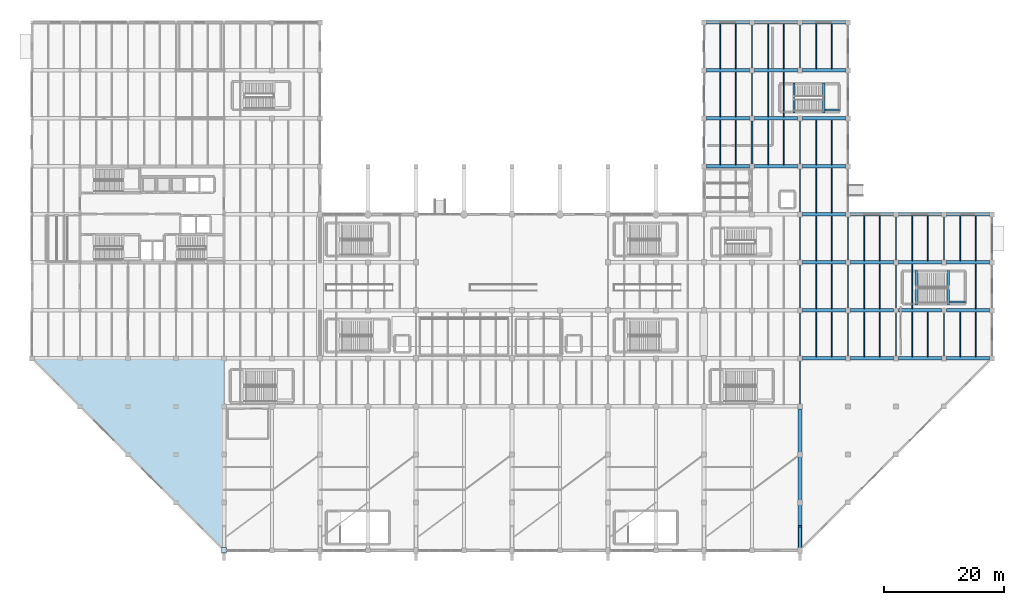
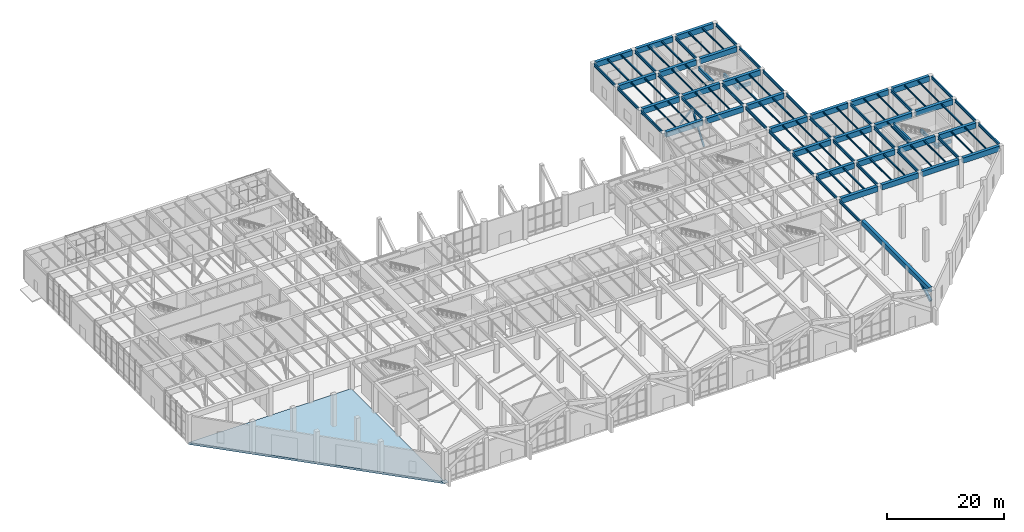
# One storey, part 25 of 51: 103 beams, 3 members, 1 plate, 1 slab.
"""IFC4 building model written with IfcOpenShell, lengths in metres."""

import ifcopenshell
import ifcopenshell.guid

model = None  # the IFC model being written
_history = None  # IfcOwnerHistory: only IFC2X3 demands one
_inside = {}  # id of a spatial element -> (the spatial element, [elements in it])
_under = {}  # id of a project, library or spatial element -> (it, [spatial elements below it])
_declared = {}  # id of a project -> (the project, [libraries it declares])
_typed = {}  # id of a type object -> (the type object, [elements of that type])
_made_of = {}  # id of a material, layer set ... -> (it, [elements and type objects made of it])


def new_model(schema):
    """Start an empty IFC model of exactly this schema.

    Asked for "IFC4X3", IfcOpenShell would pick the latest addendum, in which some entities
    have other attributes; the version numbers below select the first issue.
    IFC2X3 requires an IfcOwnerHistory on every rooted entity: one is made here for all.
    """
    global model, _history
    if schema == "IFC4X3":
        model = ifcopenshell.file(schema_version=(4, 3, 0, 0))
    else:
        model = ifcopenshell.file(schema=schema)
    _inside.clear()
    _under.clear()
    _declared.clear()
    _typed.clear()
    _made_of.clear()
    _history = None
    if model.schema == "IFC2X3":
        org = make("IfcOrganization", Name="unknown")
        user = make(
            "IfcPersonAndOrganization",
            ThePerson=make("IfcPerson", FamilyName="unknown"),
            TheOrganization=org,
        )
        app = make(
            "IfcApplication",
            ApplicationDeveloper=org,
            Version="unknown",
            ApplicationFullName="unknown",
            ApplicationIdentifier="unknown",
        )
        _history = make(
            "IfcOwnerHistory",
            OwningUser=user,
            OwningApplication=app,
            ChangeAction="ADDED",
            CreationDate=0,
        )
    return model


def make(cls, **values):
    """One entity of the class cls with the attributes given. An attribute that is None is left unset."""
    return model.create_entity(
        cls, **{name: value for name, value in values.items() if value is not None}
    )


def rooted(cls, **values):
    """An entity with a GlobalId (a new one), such as an element, a storey or a relation."""
    return make(cls, GlobalId=ifcopenshell.guid.new(), OwnerHistory=_history, **values)


def si_unit(unit_type, name, prefix=None):
    """IfcSIUnit, for example si_unit("LENGTHUNIT", "METRE", prefix="MILLI")."""
    return make("IfcSIUnit", UnitType=unit_type, Prefix=prefix, Name=name)


def assignment(units):
    """IfcUnitAssignment: the units of a project."""
    return None if units is None else make("IfcUnitAssignment", Units=units)


def point(xyz):
    """IfcCartesianPoint."""
    return None if xyz is None else make("IfcCartesianPoint", Coordinates=xyz)


def direction(xyz):
    """IfcDirection."""
    return None if xyz is None else make("IfcDirection", DirectionRatios=xyz)


def frame(location, z_axis=None, x_axis=None):
    """IfcAxis2Placement3D, a coordinate frame: its origin and axes. An axis left out is left unset."""
    return make(
        "IfcAxis2Placement3D",
        Location=point(location),
        Axis=direction(z_axis),
        RefDirection=direction(x_axis),
    )


def frame_2d(location, x_axis=None):
    """IfcAxis2Placement2D, a coordinate frame in the plane: its origin and x axis."""
    return make(
        "IfcAxis2Placement2D", Location=point(location), RefDirection=direction(x_axis)
    )


def origin():
    """The frame at (0, 0, 0) with its axes left unset."""
    return frame((0.0, 0.0, 0.0))


def origin_2d():
    """The frame at (0, 0) in the plane with its x axis left unset."""
    return frame_2d((0.0, 0.0))


def place(relative_to, where):
    """IfcLocalPlacement: puts the frame where relative to a parent placement (None: the world)."""
    return make(
        "IfcLocalPlacement", PlacementRelTo=relative_to, RelativePlacement=where
    )


def context(
    kind, dimensions, precision=None, world=None, true_north=None, identifier=None
):
    """IfcGeometricRepresentationContext, for example the 3D "Model" context."""
    return make(
        "IfcGeometricRepresentationContext",
        ContextIdentifier=identifier,
        ContextType=kind,
        CoordinateSpaceDimension=dimensions,
        Precision=precision,
        WorldCoordinateSystem=world,
        TrueNorth=true_north,
    )


def subcontext(parent, identifier, kind, view, scale=None):
    """IfcGeometricRepresentationSubContext, for example "Body" below "Model"."""
    return make(
        "IfcGeometricRepresentationSubContext",
        ContextIdentifier=identifier,
        ContextType=kind,
        ParentContext=parent,
        TargetScale=scale,
        TargetView=view,
    )


def project(units=None, contexts=None):
    """IfcProject with its units and contexts."""
    return rooted(
        "IfcProject",
        Name="project",
        RepresentationContexts=contexts,
        UnitsInContext=assignment(units),
    )


def spatial(cls, under=None, at=None, **own):
    """A site, building, storey or space (cls), placed at a placement, below another one or the project."""
    s = rooted(cls, ObjectPlacement=at, **own)
    if under is not None:
        _under.setdefault(under.id(), (under, []))[1].append(s)
    return s


def polyline(points):
    """IfcPolyline through the points."""
    return make("IfcPolyline", Points=[point(p) for p in points])


def profile(cls, at=None, kind="AREA", **sizes):
    """A parametric profile (cls). Its sizes go by their IFC names, for example OverallWidth=200.0."""
    return make(cls, ProfileType=kind, Position=at, **sizes)


def rectangle(**sizes):
    """IfcRectangleProfileDef."""
    return profile("IfcRectangleProfileDef", **sizes)


def hollow_rectangle(**sizes):
    """IfcRectangleHollowProfileDef."""
    return profile("IfcRectangleHollowProfileDef", **sizes)


def i_section(**sizes):
    """IfcIShapeProfileDef."""
    return profile("IfcIShapeProfileDef", **sizes)


def outline(outer, holes=None, kind="AREA"):
    """IfcArbitraryClosedProfileDef: a profile drawn as a closed curve; with holes, ...WithVoids."""
    if holes is None:
        return make("IfcArbitraryClosedProfileDef", ProfileType=kind, OuterCurve=outer)
    return make(
        "IfcArbitraryProfileDefWithVoids",
        ProfileType=kind,
        OuterCurve=outer,
        InnerCurves=holes,
    )


def extrude(swept, where, along, depth):
    """IfcExtrudedAreaSolid: the profile swept, set in the frame where, extruded along a direction by depth."""
    return make(
        "IfcExtrudedAreaSolid",
        SweptArea=swept,
        Position=where,
        ExtrudedDirection=direction(along),
        Depth=depth,
    )


def shape(context_of_items, identifier, shape_type, items):
    """IfcShapeRepresentation: the items that make up one representation, for example the "Body"."""
    return make(
        "IfcShapeRepresentation",
        ContextOfItems=context_of_items,
        RepresentationIdentifier=identifier,
        RepresentationType=shape_type,
        Items=items,
    )


def material(Name=None, Category=None):
    """IfcMaterial."""
    return make("IfcMaterial", Name=Name, Category=Category)


def layer(
    of_material, thickness, ventilated=None, Name=None, Category=None, Priority=None
):
    """IfcMaterialLayer: one layer of a wall or slab, of a material (None: an air gap)."""
    return make(
        "IfcMaterialLayer",
        Material=of_material,
        LayerThickness=thickness,
        IsVentilated=ventilated,
        Name=Name,
        Category=Category,
        Priority=Priority,
    )


def layer_set(layers, Name=None):
    """IfcMaterialLayerSet."""
    return make("IfcMaterialLayerSet", MaterialLayers=layers, LayerSetName=Name)


def material_profile(
    of_material, cross_section, Name=None, Category=None, Priority=None
):
    """IfcMaterialProfile: a cross section and its material."""
    return make(
        "IfcMaterialProfile",
        Name=Name,
        Material=of_material,
        Profile=cross_section,
        Priority=Priority,
        Category=Category,
    )


def profile_set(profiles, Name=None, composite=None):
    """IfcMaterialProfileSet."""
    return make(
        "IfcMaterialProfileSet",
        Name=Name,
        MaterialProfiles=profiles,
        CompositeProfile=composite,
    )


def made_of(thing, what):
    """Note that an element or type object is made of a material, layer set ...; save() writes the relation."""
    if what is not None:
        _made_of.setdefault(what.id(), (what, []))[1].append(thing)
    return thing


def type_object(cls, material=None, **own):
    """A type object (cls), such as IfcWallType, which elements share."""
    return made_of(rooted(cls, **own), material)


def element(
    cls,
    number,
    at=None,
    inside=None,
    cuts=None,
    type_object=None,
    material=None,
    context=None,
    identifier="Body",
    shape_type=None,
    held_by="IfcProductDefinitionShape",
    body=None,
    shapes=None,
    **own,
):
    """One element of the class cls, such as IfcWall. Its Tag is "e" and its number.

    at: its placement. inside: the storey or other place that contains it. cuts: it is an
    opening in that element (IfcRelVoidsElement). A single representation is given by context,
    identifier, shape_type and body (its items); several are given by shapes. held_by: the class
    of the entity that holds the representations. save() writes the other relations.
    """
    e = rooted(cls, Tag="e%d" % number, ObjectPlacement=at, **own)
    if body is not None:
        shapes = [shape(context, identifier, shape_type, body)]
    if shapes is not None:
        e.Representation = make(held_by, Representations=shapes)
    if inside is not None:
        _inside.setdefault(inside.id(), (inside, []))[1].append(e)
    if cuts is not None:
        rooted(
            "IfcRelVoidsElement", RelatingBuildingElement=cuts, RelatedOpeningElement=e
        )
    if type_object is not None:
        _typed.setdefault(type_object.id(), (type_object, []))[1].append(e)
    return made_of(e, material)


def aggregate(whole, parts):
    """IfcRelAggregates: a whole, such as a stair, and the parts it consists of."""
    return rooted("IfcRelAggregates", RelatingObject=whole, RelatedObjects=parts)


def save(model, path):
    """Write the relations noted so far, then the file.

    IfcRelAggregates (storeys below a building ...), IfcRelContainedInSpatialStructure (elements
    in a storey), IfcRelDefinesByType, IfcRelAssociatesMaterial and IfcRelDeclares: one each for
    every whole, place, type object, material and project.
    """
    for whole, parts in _under.values():
        aggregate(whole, parts)
    for where, things in _inside.values():
        rooted(
            "IfcRelContainedInSpatialStructure",
            RelatedElements=things,
            RelatingStructure=where,
        )
    for kind, things in _typed.values():
        rooted("IfcRelDefinesByType", RelatedObjects=things, RelatingType=kind)
    for what, things in _made_of.values():
        rooted("IfcRelAssociatesMaterial", RelatedObjects=things, RelatingMaterial=what)
    for by, libraries in _declared.values():
        rooted("IfcRelDeclares", RelatingContext=by, RelatedDefinitions=libraries)
    model.write(path)


model = new_model("IFC4")

# Units and contexts
model_context = context("Model", 3, precision=1e-05, world=origin(), true_north=direction((0.0, 1.0)))
body_context = subcontext(model_context, "Body", "Model", "MODEL_VIEW")
ifc_project = project(units=[si_unit("LENGTHUNIT", "METRE"), si_unit("AREAUNIT", "SQUARE_METRE"), si_unit("VOLUMEUNIT", "CUBIC_METRE"), si_unit("PLANEANGLEUNIT", "RADIAN"), si_unit("MASSUNIT", "GRAM", prefix="KILO")], contexts=[model_context])

# Site, building, storey
site_placement = place(None, origin())
site = spatial("IfcSite", under=ifc_project, at=site_placement, CompositionType="ELEMENT")
building_placement = place(site_placement, origin())
building = spatial("IfcBuilding", under=site, at=building_placement, Name="Varnela Railside Interchange", CompositionType="ELEMENT")
storey_placement = place(building_placement, origin())
storey = spatial("IfcBuildingStorey", under=building, at=storey_placement, Name="L00", CompositionType="ELEMENT", Elevation=0.0)

# Beams
ifc_material_1 = material(Name="Concrete C40", Category="concrete")
ifc_material_profile_1 = material_profile(ifc_material_1, rectangle(XDim=0.60009765625, YDim=1.0, at=origin_2d()), Name="RC 600x1000")
ifc_profile_set_1 = profile_set([ifc_material_profile_1], Name="Concrete C40")
beam_type_1 = type_object("IfcBeamType", Name="Canopy Valley Girder B-05", PredefinedType="BEAM", material=ifc_profile_set_1)
beam_1_placement = place(storey_placement, frame((132.0, 6.5, 6.10009765625), z_axis=(0.0, 1.0, 0.0), x_axis=(-1.0, 0.0, 0.0)))
element("IfcBeam", 1, at=beam_1_placement, inside=storey, type_object=beam_type_1, Name="Canopy Valley Girder B-05 (L00) (BM-1416)", PredefinedType="BEAM", context=body_context, shape_type="SweptSolid", body=[
    extrude(rectangle(XDim=0.60009765625, YDim=1.0, at=origin_2d()), origin(), (0.0, 0.0, 1.0), 23.10009765625),
])
ifc_material_2 = material(Name="Steel AR 350 (350 MPa)", Category="steel")
ifc_material_profile_2 = material_profile(ifc_material_2, i_section(OverallWidth=0.1669921875, OverallDepth=0.31689453125, WebThickness=0.007568359375, FlangeThickness=0.01318359375, at=origin_2d()), Name="W310x52")
ifc_profile_set_2 = profile_set([ifc_material_profile_2], Name="Steel AR 350 (350 MPa)")
beam_type_2 = type_object("IfcBeamType", Name="Composite Long-Span Joist J-03", PredefinedType="JOIST", material=ifc_profile_set_2)
for number, where, z_axis, x_axis, name in (
    (2, (118.669921875, 70.300048828125, 5.861572265625), (0.0, 1.0, 0.0), (-1.0, 0.0, 0.0), "Composite Long-Span Joist J-03 (L00) (BM-1067)"),
    (3, (121.330078125, 70.300048828125, 5.861572265625), (0.0, 1.0, 0.0), (-1.0, 0.0, 0.0), "Composite Long-Span Joist J-03 (L00) (BM-1068)"),
    (4, (118.669921875, 78.300048828125, 5.861572265625), (0.0, 1.0, 0.0), (-1.0, 0.0, 0.0), "Composite Long-Span Joist J-03 (L00) (BM-1069)"),
    (5, (121.330078125, 78.300048828125, 5.861572265625), (0.0, 1.0, 0.0), (-1.0, 0.0, 0.0), "Composite Long-Span Joist J-03 (L00) (BM-1070)"),
    (6, (118.669921875, 86.300048828125, 5.861572265625), (0.0, 1.0, 0.0), (-1.0, 0.0, 0.0), "Composite Long-Span Joist J-03 (L00) (BM-1057)"),
    (7, (121.330078125, 86.300048828125, 5.861572265625), (0.0, 1.0, 0.0), (-1.0, 0.0, 0.0), "Composite Long-Span Joist J-03 (L00) (BM-1058)"),
    (8, (126.669921875, 70.300048828125, 5.861572265625), (0.0, 1.0, 0.0), (-1.0, 0.0, 0.0), "Composite Long-Span Joist J-03 (L00) (BM-1080)"),
    (9, (129.330078125, 70.300048828125, 5.861572265625), (0.0, 1.0, 0.0), (-1.0, 0.0, 0.0), "Composite Long-Span Joist J-03 (L00) (BM-1081)"),
    (10, (126.669921875, 78.300048828125, 5.861572265625), (0.0, 1.0, 0.0), (-1.0, 0.0, 0.0), "Composite Long-Span Joist J-03 (L00) (BM-1082)"),
    (11, (129.330078125, 78.300048828125, 5.861572265625), (0.0, 1.0, 0.0), (-1.0, 0.0, 0.0), "Composite Long-Span Joist J-03 (L00) (BM-1083)"),
    (12, (126.669921875, 86.300048828125, 5.861572265625), (0.0, 1.0, 0.0), (-1.0, 0.0, 0.0), "Composite Long-Span Joist J-03 (L00) (BM-1071)"),
    (13, (129.330078125, 86.300048828125, 5.861572265625), (0.0, 1.0, 0.0), (-1.0, 0.0, 0.0), "Composite Long-Span Joist J-03 (L00) (BM-1072)"),
    (14, (134.669921875, 38.300048828125, 5.861572265625), (0.0, 1.0, 0.0), (-1.0, 0.0, 0.0), "Composite Long-Span Joist J-03 (L00) (BM-1086)"),
    (15, (137.330078125, 38.300048828125, 5.861572265625), (0.0, 1.0, 0.0), (-1.0, 0.0, 0.0), "Composite Long-Span Joist J-03 (L00) (BM-1087)"),
    (16, (134.669921875, 46.300048828125, 5.861572265625), (0.0, 1.0, 0.0), (-1.0, 0.0, 0.0), "Composite Long-Span Joist J-03 (L00) (BM-1088)"),
    (17, (137.330078125, 46.300048828125, 5.861572265625), (0.0, 1.0, 0.0), (-1.0, 0.0, 0.0), "Composite Long-Span Joist J-03 (L00) (BM-1089)"),
    (18, (134.669921875, 54.300048828125, 5.861572265625), (0.0, 1.0, 0.0), (-1.0, 0.0, 0.0), "Composite Long-Span Joist J-03 (L00) (BM-1090)"),
    (19, (137.330078125, 54.300048828125, 5.861572265625), (0.0, 1.0, 0.0), (-1.0, 0.0, 0.0), "Composite Long-Span Joist J-03 (L00) (BM-1091)"),
    (20, (134.669921875, 62.300048828125, 5.861572265625), (0.0, 1.0, 0.0), (-1.0, 0.0, 0.0), "Composite Long-Span Joist J-03 (L00) (BM-1092)"),
    (21, (137.330078125, 62.300048828125, 5.861572265625), (0.0, 1.0, 0.0), (-1.0, 0.0, 0.0), "Composite Long-Span Joist J-03 (L00) (BM-1093)"),
    (22, (134.669921875, 70.300048828125, 5.861572265625), (0.0, 1.0, 0.0), (-1.0, 0.0, 0.0), "Composite Long-Span Joist J-03 (L00) (BM-1094)"),
    (23, (137.330078125, 70.300048828125, 5.861572265625), (0.0, 1.0, 0.0), (-1.0, 0.0, 0.0), "Composite Long-Span Joist J-03 (L00) (BM-1095)"),
    (24, (134.669921875, 86.300048828125, 5.861572265625), (0.0, 1.0, 0.0), (-1.0, 0.0, 0.0), "Composite Long-Span Joist J-03 (L00) (BM-1084)"),
    (25, (137.330078125, 86.300048828125, 5.861572265625), (0.0, 1.0, 0.0), (-1.0, 0.0, 0.0), "Composite Long-Span Joist J-03 (L00) (BM-1085)"),
    (26, (142.669921875, 38.300048828125, 5.861572265625), (0.0, 1.0, 0.0), (-1.0, 0.0, 0.0), "Composite Long-Span Joist J-03 (L00) (BM-1096)"),
    (27, (145.330078125, 38.300048828125, 5.861572265625), (0.0, 1.0, 0.0), (-1.0, 0.0, 0.0), "Composite Long-Span Joist J-03 (L00) (BM-1097)"),
    (28, (142.669921875, 46.300048828125, 5.861572265625), (0.0, 1.0, 0.0), (-1.0, 0.0, 0.0), "Composite Long-Span Joist J-03 (L00) (BM-1098)"),
    (29, (145.330078125, 46.300048828125, 5.861572265625), (0.0, 1.0, 0.0), (-1.0, 0.0, 0.0), "Composite Long-Span Joist J-03 (L00) (BM-1099)"),
    (30, (142.669921875, 54.300048828125, 5.861572265625), (0.0, 1.0, 0.0), (-1.0, 0.0, 0.0), "Composite Long-Span Joist J-03 (L00) (BM-1100)"),
    (31, (145.330078125, 54.300048828125, 5.861572265625), (0.0, 1.0, 0.0), (-1.0, 0.0, 0.0), "Composite Long-Span Joist J-03 (L00) (BM-1101)"),
    (32, (150.669921875, 38.300048828125, 5.861572265625), (0.0, 1.0, 0.0), (-1.0, 0.0, 0.0), "Composite Long-Span Joist J-03 (L00) (BM-1102)"),
    (33, (153.330078125, 38.300048828125, 5.861572265625), (0.0, 1.0, 0.0), (-1.0, 0.0, 0.0), "Composite Long-Span Joist J-03 (L00) (BM-1103)"),
    (34, (150.669921875, 46.300048828125, 5.861572265625), (0.0, 1.0, 0.0), (-1.0, 0.0, 0.0), "Composite Long-Span Joist J-03 (L00) (BM-1104)"),
    (35, (150.669921875, 54.300048828125, 5.861572265625), (0.0, 1.0, 0.0), (-1.0, 0.0, 0.0), "Composite Long-Span Joist J-03 (L00) (BM-1105)"),
    (36, (153.330078125, 54.300048828125, 5.861572265625), (0.0, 1.0, 0.0), (-1.0, 0.0, 0.0), "Composite Long-Span Joist J-03 (L00) (BM-1106)"),
    (37, (158.669921875, 38.300048828125, 5.861572265625), (0.0, 1.0, 0.0), (-1.0, 0.0, 0.0), "Composite Long-Span Joist J-03 (L00) (BM-1107)"),
    (38, (161.330078125, 38.300048828125, 5.861572265625), (0.0, 1.0, 0.0), (-1.0, 0.0, 0.0), "Composite Long-Span Joist J-03 (L00) (BM-1108)"),
    (39, (161.330078125, 46.300048828125, 5.861572265625), (0.0, 1.0, 0.0), (-1.0, 0.0, 0.0), "Composite Long-Span Joist J-03 (L00) (BM-1109)"),
    (40, (158.669921875, 54.300048828125, 5.861572265625), (0.0, 1.0, 0.0), (-1.0, 0.0, 0.0), "Composite Long-Span Joist J-03 (L00) (BM-1110)"),
    (41, (161.330078125, 54.300048828125, 5.861572265625), (0.0, 1.0, 0.0), (-1.0, 0.0, 0.0), "Composite Long-Span Joist J-03 (L00) (BM-1111)"),
):
    element("IfcBeam", number, at=place(storey_placement, frame(where, z_axis=z_axis, x_axis=x_axis)), inside=storey, type_object=beam_type_2, Name=name, PredefinedType="JOIST", context=body_context, shape_type="SweptSolid", body=[
        extrude(i_section(OverallWidth=0.1669921875, OverallDepth=0.31689453125, WebThickness=0.007568359375, FlangeThickness=0.01318359375, at=origin_2d()), origin(), (0.0, 0.0, 1.0), 7.39990234375),
    ])
ifc_material_3 = material(Name="Concrete C50", Category="concrete")
ifc_material_profile_3 = material_profile(ifc_material_3, rectangle(XDim=0.60009765625, YDim=1.10009765625, at=origin_2d()), Name="RC 600x1100")
ifc_profile_set_3 = profile_set([ifc_material_profile_3], Name="Concrete C50")
beam_type_3 = type_object("IfcBeamType", Name="Concourse RC Girder B-06", PredefinedType="BEAM", material=ifc_profile_set_3)
for number, where, z_axis, x_axis, name in (
    (42, (132.39990234375, 38.0, 5.469970703125), (1.0, 0.0, 0.0), (0.0, 1.0, 0.0), "Concourse RC Girder B-06 (L00) (BM-1206)"),
    (43, (140.39990234375, 38.0, 5.469970703125), (1.0, 0.0, 0.0), (0.0, 1.0, 0.0), "Concourse RC Girder B-06 (L00) (BM-1207)"),
    (44, (148.39990234375, 38.0, 5.469970703125), (1.0, 0.0, 0.0), (0.0, 1.0, 0.0), "Concourse RC Girder B-06 (L00) (BM-1208)"),
    (45, (156.39990234375, 38.0, 5.469970703125), (1.0, 0.0, 0.0), (0.0, 1.0, 0.0), "Concourse RC Girder B-06 (L00) (BM-1209)"),
    (46, (132.39990234375, 46.0, 5.469970703125), (1.0, 0.0, 0.0), (0.0, 1.0, 0.0), "Concourse RC Girder B-06 (L00) (BM-1226)"),
    (47, (140.39990234375, 46.0, 5.469970703125), (1.0, 0.0, 0.0), (0.0, 1.0, 0.0), "Concourse RC Girder B-06 (L00) (BM-1227)"),
    (48, (148.39990234375, 46.0, 5.469970703125), (1.0, 0.0, 0.0), (0.0, 1.0, 0.0), "Concourse RC Girder B-06 (L00) (BM-1228)"),
    (49, (156.39990234375, 46.0, 5.469970703125), (1.0, 0.0, 0.0), (0.0, 1.0, 0.0), "Concourse RC Girder B-06 (L00) (BM-1229)"),
    (50, (132.39990234375, 54.0, 5.469970703125), (1.0, 0.0, 0.0), (0.0, 1.0, 0.0), "Concourse RC Girder B-06 (L00) (BM-1245)"),
    (51, (140.39990234375, 54.0, 5.469970703125), (1.0, 0.0, 0.0), (0.0, 1.0, 0.0), "Concourse RC Girder B-06 (L00) (BM-1246)"),
    (52, (148.39990234375, 54.0, 5.469970703125), (1.0, 0.0, 0.0), (0.0, 1.0, 0.0), "Concourse RC Girder B-06 (L00) (BM-1247)"),
    (53, (156.39990234375, 54.0, 5.469970703125), (1.0, 0.0, 0.0), (0.0, 1.0, 0.0), "Concourse RC Girder B-06 (L00) (BM-1248)"),
    (54, (132.39990234375, 62.0, 5.469970703125), (1.0, 0.0, 0.0), (0.0, 1.0, 0.0), "Concourse RC Girder B-06 (L00) (BM-1258)"),
    (55, (140.39990234375, 62.0, 5.469970703125), (1.0, 0.0, 0.0), (0.0, 1.0, 0.0), "Concourse RC Girder B-06 (L00) (BM-1259)"),
    (56, (148.39990234375, 62.0, 5.469970703125), (1.0, 0.0, 0.0), (0.0, 1.0, 0.0), "Concourse RC Girder B-06 (L00) (BM-1260)"),
    (57, (156.39990234375, 62.0, 5.469970703125), (1.0, 0.0, 0.0), (0.0, 1.0, 0.0), "Concourse RC Girder B-06 (L00) (BM-1261)"),
    (58, (116.39990234375, 70.0, 5.469970703125), (1.0, 0.0, 0.0), (0.0, 1.0, 0.0), "Concourse RC Girder B-06 (L00) (BM-1267)"),
    (59, (124.39990234375, 70.0, 5.469970703125), (1.0, 0.0, 0.0), (0.0, 1.0, 0.0), "Concourse RC Girder B-06 (L00) (BM-1268)"),
    (60, (132.39990234375, 70.0, 5.469970703125), (1.0, 0.0, 0.0), (0.0, 1.0, 0.0), "Concourse RC Girder B-06 (L00) (BM-1269)"),
    (61, (116.39990234375, 78.0, 5.469970703125), (1.0, 0.0, 0.0), (0.0, 1.0, 0.0), "Concourse RC Girder B-06 (L00) (BM-1273)"),
    (62, (124.39990234375, 78.0, 5.469970703125), (1.0, 0.0, 0.0), (0.0, 1.0, 0.0), "Concourse RC Girder B-06 (L00) (BM-1274)"),
    (63, (132.39990234375, 78.0, 5.469970703125), (1.0, 0.0, 0.0), (0.0, 1.0, 0.0), "Concourse RC Girder B-06 (L00) (BM-1276)"),
    (64, (116.39990234375, 86.0, 5.469970703125), (1.0, 0.0, 0.0), (0.0, 1.0, 0.0), "Concourse RC Girder B-06 (L00) (BM-1282)"),
    (65, (124.39990234375, 86.0, 5.469970703125), (1.0, 0.0, 0.0), (0.0, 1.0, 0.0), "Concourse RC Girder B-06 (L00) (BM-1283)"),
    (66, (132.39990234375, 86.0, 5.469970703125), (1.0, 0.0, 0.0), (0.0, 1.0, 0.0), "Concourse RC Girder B-06 (L00) (BM-1285)"),
    (67, (116.39990234375, 94.0, 5.469970703125), (1.0, 0.0, 0.0), (0.0, 1.0, 0.0), "Concourse RC Girder B-06 (L00) (BM-1291)"),
    (68, (124.39990234375, 94.0, 5.469970703125), (1.0, 0.0, 0.0), (0.0, 1.0, 0.0), "Concourse RC Girder B-06 (L00) (BM-1292)"),
    (69, (132.39990234375, 94.0, 5.469970703125), (1.0, 0.0, 0.0), (0.0, 1.0, 0.0), "Concourse RC Girder B-06 (L00) (BM-1294)"),
):
    element("IfcBeam", number, at=place(storey_placement, frame(where, z_axis=z_axis, x_axis=x_axis)), inside=storey, type_object=beam_type_3, Name=name, PredefinedType="BEAM", context=body_context, shape_type="SweptSolid", body=[
        extrude(rectangle(XDim=0.60009765625, YDim=1.10009765625, at=origin_2d()), origin(), (0.0, 0.0, 1.0), 7.2001953125),
    ])
ifc_material_profile_4 = material_profile(ifc_material_1, rectangle(XDim=0.39990234375, YDim=0.699951171875, at=origin_2d()), Name="RC 400x700")
ifc_profile_set_4 = profile_set([ifc_material_profile_4], Name="Concrete C40")
beam_type_4 = type_object("IfcBeamType", Name="Concrete Tie Beam B-01", PredefinedType="BEAM", material=ifc_profile_set_4)
for number, where, z_axis, x_axis, name in (
    (70, (131.0, 78.919921875, 5.669921875), (0.0, 1.0, 0.0), (-1.0, 0.0, 0.0), "Concrete Tie Beam B-01 (L00) (BM-1450)"),
    (71, (135.929931640625, 78.919921875, 2.639892578125), (0.0, 1.0, 0.0), (-1.0, 0.0, 0.0), "Concrete Tie Beam B-01 (L00) (BM-1437)"),
):
    element("IfcBeam", number, at=place(storey_placement, frame(where, z_axis=z_axis, x_axis=x_axis)), inside=storey, type_object=beam_type_4, Name=name, PredefinedType="BEAM", context=body_context, shape_type="SweptSolid", body=[
        extrude(rectangle(XDim=0.39990234375, YDim=0.699951171875, at=origin_2d()), origin(), (0.0, 0.0, 1.0), 4.9599609375),
    ])
beam_2_placement = place(storey_placement, frame((136.1298828125, 79.39990234375, 2.639892578125), z_axis=(1.0, 0.0, 0.0), x_axis=(0.0, 1.0, 0.0)))
element("IfcBeam", 72, at=beam_2_placement, inside=storey, type_object=beam_type_4, Name="Concrete Tie Beam B-01 (L00) (BM-1424)", PredefinedType="BEAM", context=body_context, shape_type="SweptSolid", body=[
    extrude(rectangle(XDim=0.39990234375, YDim=0.699951171875, at=origin_2d()), origin(), (0.0, 0.0, 1.0), 2.490234375),
])
for number, where, z_axis, x_axis, name in (
    (73, (151.39990234375, 46.919921875, 5.669921875), (0.0, 1.0, 0.0), (-1.0, 0.0, 0.0), "Concrete Tie Beam B-01 (L00) (BM-1451)"),
    (74, (156.7548828125, 46.919921875, 2.639892578125), (0.0, 1.0, 0.0), (-1.0, 0.0, 0.0), "Concrete Tie Beam B-01 (L00) (BM-1438)"),
):
    element("IfcBeam", number, at=place(storey_placement, frame(where, z_axis=z_axis, x_axis=x_axis)), inside=storey, type_object=beam_type_4, Name=name, PredefinedType="BEAM", context=body_context, shape_type="SweptSolid", body=[
        extrude(rectangle(XDim=0.39990234375, YDim=0.699951171875, at=origin_2d()), origin(), (0.0, 0.0, 1.0), 5.760009765625),
    ])
beam_3_placement = place(storey_placement, frame((156.955078125, 47.39990234375, 2.639892578125), z_axis=(1.0, 0.0, 0.0), x_axis=(0.0, 1.0, 0.0)))
element("IfcBeam", 75, at=beam_3_placement, inside=storey, type_object=beam_type_4, Name="Concrete Tie Beam B-01 (L00) (BM-1425)", PredefinedType="BEAM", context=body_context, shape_type="SweptSolid", body=[
    extrude(rectangle(XDim=0.39990234375, YDim=0.699951171875, at=origin_2d()), origin(), (0.0, 0.0, 1.0), 2.6650390625),
])

# Members
ifc_material_profile_5 = material_profile(ifc_material_2, hollow_rectangle(XDim=0.300048828125, YDim=0.300048828125, WallThickness=0.01611328125, at=origin_2d()), Name="HSS 300x300x16")
ifc_profile_set_5 = profile_set([ifc_material_profile_5], Name="Steel AR 350 (350 MPa)")
member_type_1 = type_object("IfcMemberType", Name="Lateral Chevron Brace BR-01", PredefinedType="BRACE", material=ifc_profile_set_5)
for number, where, z_axis, x_axis, name in (
    (76, (124.0, 70.0, 0.14990234375), (0.0, 0.586773887058, 0.809750829247), (-1.0, 0.0, 0.0), "Lateral Chevron Brace BR-01 (L00) (MB-0009)"),
    (77, (124.0, 78.0, 0.14990234375), (0.0, -0.586773887058, 0.809750829247), (1.0, 0.0, 0.0), "Lateral Chevron Brace BR-01 (L00) (MB-0010)"),
):
    element("IfcMember", number, at=place(storey_placement, frame(where, z_axis=z_axis, x_axis=x_axis)), inside=storey, type_object=member_type_1, Name=name, PredefinedType="BRACE", context=body_context, shape_type="SweptSolid", body=[
        extrude(hollow_rectangle(XDim=0.300048828125, YDim=0.300048828125, WallThickness=0.01611328125, at=origin_2d()), origin(), (0.0, 0.0, 1.0), 6.81689453125),
    ])

# Beams
ifc_material_profile_6 = material_profile(ifc_material_2, i_section(OverallWidth=0.22900390625, OverallDepth=0.612060546875, WebThickness=0.011962890625, FlangeThickness=0.01953125, at=origin_2d()), Name="W610x125")
ifc_profile_set_6 = profile_set([ifc_material_profile_6], Name="Steel AR 350 (350 MPa)")
beam_type_5 = type_object("IfcBeamType", Name="Podium Composite Girder B-15", PredefinedType="BEAM", material=ifc_profile_set_6)
for number, where, z_axis, x_axis, name in (
    (78, (116.0, 70.39990234375, 5.714111328125), (0.0, 1.0, 0.0), (-1.0, 0.0, 0.0), "Podium Composite Girder B-15 (L00) (BM-1316)"),
    (79, (116.0, 78.39990234375, 5.714111328125), (0.0, 1.0, 0.0), (-1.0, 0.0, 0.0), "Podium Composite Girder B-15 (L00) (BM-1317)"),
    (80, (116.0, 86.39990234375, 5.714111328125), (0.0, 1.0, 0.0), (-1.0, 0.0, 0.0), "Podium Composite Girder B-15 (L00) (BM-1318)"),
    (81, (124.0, 70.39990234375, 5.714111328125), (0.0, 1.0, 0.0), (-1.0, 0.0, 0.0), "Podium Composite Girder B-15 (L00) (BM-1322)"),
    (82, (124.0, 78.39990234375, 5.714111328125), (0.0, 1.0, 0.0), (-1.0, 0.0, 0.0), "Podium Composite Girder B-15 (L00) (BM-1323)"),
    (83, (124.0, 86.39990234375, 5.714111328125), (0.0, 1.0, 0.0), (-1.0, 0.0, 0.0), "Podium Composite Girder B-15 (L00) (BM-1324)"),
    (84, (132.0, 30.39990234375, 5.714111328125), (0.0, 1.0, 0.0), (-1.0, 0.0, 0.0), "Podium Composite Girder B-15 (L00) (BM-1325)"),
    (85, (132.0, 38.39990234375, 5.714111328125), (0.0, 1.0, 0.0), (-1.0, 0.0, 0.0), "Podium Composite Girder B-15 (L00) (BM-1326)"),
    (86, (132.0, 46.39990234375, 5.714111328125), (0.0, 1.0, 0.0), (-1.0, 0.0, 0.0), "Podium Composite Girder B-15 (L00) (BM-1327)"),
    (87, (132.0, 54.39990234375, 5.714111328125), (0.0, 1.0, 0.0), (-1.0, 0.0, 0.0), "Podium Composite Girder B-15 (L00) (BM-1328)"),
    (88, (132.0, 62.39990234375, 5.714111328125), (0.0, 1.0, 0.0), (-1.0, 0.0, 0.0), "Podium Composite Girder B-15 (L00) (BM-1329)"),
    (89, (132.0, 70.39990234375, 5.714111328125), (0.0, 1.0, 0.0), (-1.0, 0.0, 0.0), "Podium Composite Girder B-15 (L00) (BM-1330)"),
    (90, (132.0, 86.39990234375, 5.714111328125), (0.0, 1.0, 0.0), (-1.0, 0.0, 0.0), "Podium Composite Girder B-15 (L00) (BM-1331)"),
    (91, (140.0, 38.39990234375, 5.714111328125), (0.0, 1.0, 0.0), (-1.0, 0.0, 0.0), "Podium Composite Girder B-15 (L00) (BM-1332)"),
    (92, (140.0, 46.39990234375, 5.714111328125), (0.0, 1.0, 0.0), (-1.0, 0.0, 0.0), "Podium Composite Girder B-15 (L00) (BM-1333)"),
    (93, (140.0, 54.39990234375, 5.714111328125), (0.0, 1.0, 0.0), (-1.0, 0.0, 0.0), "Podium Composite Girder B-15 (L00) (BM-1334)"),
    (94, (140.0, 62.39990234375, 5.714111328125), (0.0, 1.0, 0.0), (-1.0, 0.0, 0.0), "Podium Composite Girder B-15 (L00) (BM-1335)"),
    (95, (140.0, 70.39990234375, 5.714111328125), (0.0, 1.0, 0.0), (-1.0, 0.0, 0.0), "Podium Composite Girder B-15 (L00) (BM-1336)"),
    (96, (140.0, 78.39990234375, 5.714111328125), (0.0, 1.0, 0.0), (-1.0, 0.0, 0.0), "Podium Composite Girder B-15 (L00) (BM-1337)"),
    (97, (140.0, 86.39990234375, 5.714111328125), (0.0, 1.0, 0.0), (-1.0, 0.0, 0.0), "Podium Composite Girder B-15 (L00) (BM-1338)"),
    (98, (148.0, 38.39990234375, 5.714111328125), (0.0, 1.0, 0.0), (-1.0, 0.0, 0.0), "Podium Composite Girder B-15 (L00) (BM-1339)"),
    (99, (148.0, 46.39990234375, 5.714111328125), (0.0, 1.0, 0.0), (-1.0, 0.0, 0.0), "Podium Composite Girder B-15 (L00) (BM-1340)"),
    (100, (148.0, 54.39990234375, 5.714111328125), (0.0, 1.0, 0.0), (-1.0, 0.0, 0.0), "Podium Composite Girder B-15 (L00) (BM-1341)"),
    (101, (156.0, 38.39990234375, 5.714111328125), (0.0, 1.0, 0.0), (-1.0, 0.0, 0.0), "Podium Composite Girder B-15 (L00) (BM-1349)"),
    (102, (156.0, 54.39990234375, 5.714111328125), (0.0, 1.0, 0.0), (-1.0, 0.0, 0.0), "Podium Composite Girder B-15 (L00) (BM-1350)"),
    (103, (164.0, 38.39990234375, 5.714111328125), (0.0, 1.0, 0.0), (-1.0, 0.0, 0.0), "Podium Composite Girder B-15 (L00) (BM-1351)"),
    (104, (164.0, 46.39990234375, 5.714111328125), (0.0, 1.0, 0.0), (-1.0, 0.0, 0.0), "Podium Composite Girder B-15 (L00) (BM-1352)"),
    (105, (164.0, 54.39990234375, 5.714111328125), (0.0, 1.0, 0.0), (-1.0, 0.0, 0.0), "Podium Composite Girder B-15 (L00) (BM-1353)"),
):
    element("IfcBeam", number, at=place(storey_placement, frame(where, z_axis=z_axis, x_axis=x_axis)), inside=storey, type_object=beam_type_5, Name=name, PredefinedType="BEAM", context=body_context, shape_type="SweptSolid", body=[
        extrude(i_section(OverallWidth=0.22900390625, OverallDepth=0.612060546875, WebThickness=0.011962890625, FlangeThickness=0.01953125, at=origin_2d()), origin(), (0.0, 0.0, 1.0), 7.2001953125),
    ])

# Member
ifc_material_profile_7 = material_profile(ifc_material_3, rectangle(XDim=0.449951171875, YDim=0.5, at=origin_2d()), Name="RC 450x500")
ifc_profile_set_7 = profile_set([ifc_material_profile_7], Name="Concrete C50")
member_type_2 = type_object("IfcMemberType", Name="Sculpted Canopy Knee Strut VP-03", PredefinedType="STRUT", material=ifc_profile_set_7)
member_placement = place(storey_placement, frame((132.0, 6.449951171875, 3.800048828125), z_axis=(0.0, 0.871250514853, 0.490838609289), x_axis=(-1.0, 0.0, 0.0)))
element("IfcMember", 106, at=member_placement, inside=storey, type_object=member_type_2, Name="Sculpted Canopy Knee Strut VP-03 (L00) (MB-0066)", PredefinedType="STRUT", context=body_context, shape_type="SweptSolid", body=[
    extrude(rectangle(XDim=0.449951171875, YDim=0.5, at=origin_2d()), origin(), (0.0, 0.0, 1.0), 4.07470703125),
])

# Slab
ifc_layer_1 = layer(ifc_material_1, 0.449951171875)
ifc_layer_set_1 = layer_set([ifc_layer_1], Name="Concrete C40")
slab_type = type_object("IfcSlabType", Name="Bus & Interchange Deck Slab SL-L00", PredefinedType="FLOOR", material=ifc_layer_set_1)
slab_placement = place(storey_placement, frame((0.0, 0.0, -0.449951171875)))
element("IfcSlab", 107, at=slab_placement, inside=storey, type_object=slab_type, Name="Bus & Interchange Deck Slab SL-L00 (L00) (SL-0058)", PredefinedType="FLOOR", context=body_context, shape_type="SweptSolid", body=[
    extrude(outline(polyline([(4.0, 38.0), (36.0, 6.0), (36.0, 38.0), (4.0, 38.0)])), origin(), (0.0, 0.0, 1.0), 0.449951171875),
])

# Plate
ifc_layer_2 = layer(ifc_material_2, 0.050048828125)
ifc_layer_set_2 = layer_set([ifc_layer_2], Name="Steel AR 350 (350 MPa)")
plate_type = type_object("IfcPlateType", Name="V-Pier Base Bearing Plate BP-01", PredefinedType="SHEET", material=ifc_layer_set_2)
plate_placement = place(storey_placement, frame((36.0, 6.0, 0.0), z_axis=(0.0, 0.0, 1.0), x_axis=(1.0, 0.0, 0.0)))
element("IfcPlate", 108, at=plate_placement, inside=storey, type_object=plate_type, Name="V-Pier Base Bearing Plate BP-01 (L00) (PL-006)", PredefinedType="SHEET", context=body_context, shape_type="SweptSolid", body=[
    extrude(rectangle(XDim=0.89990234375, YDim=0.89990234375, at=origin_2d()), origin(), (0.0, 0.0, 1.0), 0.050048828125),
])

save(model, "model.ifc")
